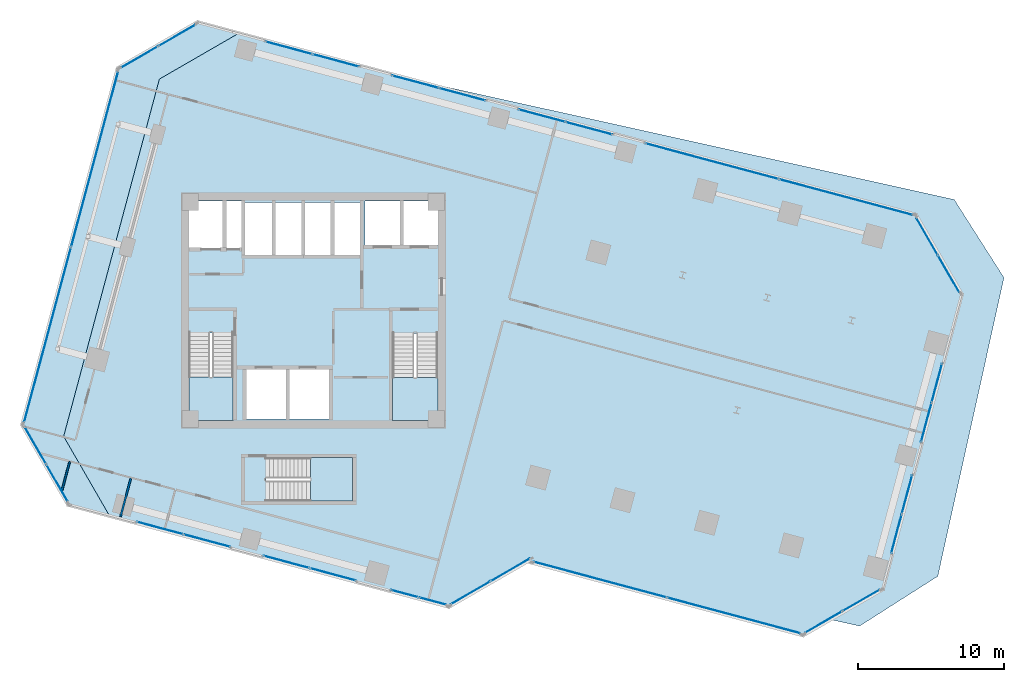
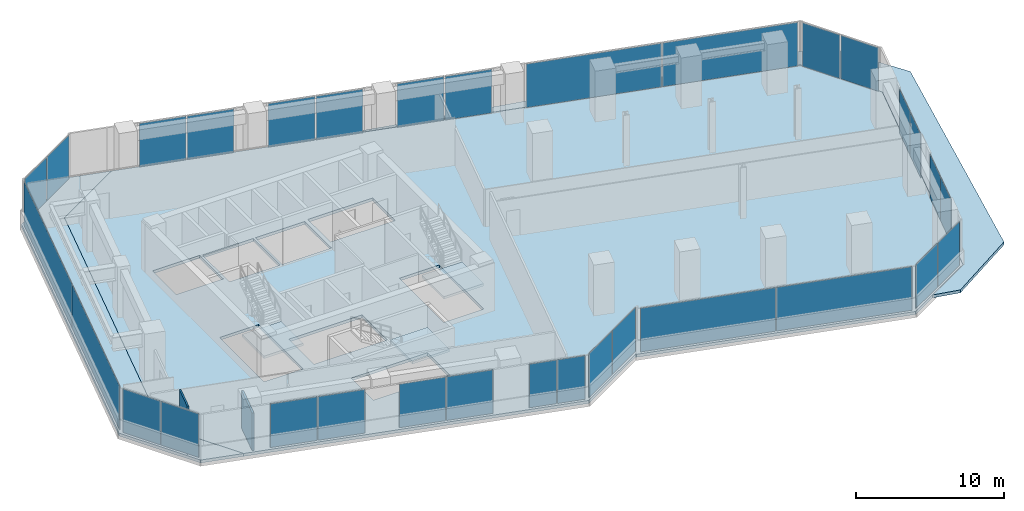
# One storey, part 19 of 26: 32 plates, 6 slabs, 2 walls, 19 elements without a shape of their own.
"""IFC4 building model written with IfcOpenShell, lengths in metres."""

from ifc_helpers import new_model, si_unit, direction, frame, frame_2d, origin, origin_2d, place, context, subcontext, project, spatial, polyline, rectangle, outline, extrude, source, transform, mapped, material, layer, layer_set, type_object, element, aggregate, save


model = new_model("IFC4")

# Units and contexts
model_context = context("Model", 3, precision=1e-05, world=origin(), true_north=direction((0.0, 1.0)))
body_context = subcontext(model_context, "Body", "Model", "MODEL_VIEW")
ifc_project = project(units=[si_unit("LENGTHUNIT", "METRE"), si_unit("AREAUNIT", "SQUARE_METRE"), si_unit("VOLUMEUNIT", "CUBIC_METRE"), si_unit("PLANEANGLEUNIT", "RADIAN"), si_unit("MASSUNIT", "GRAM", prefix="KILO")], contexts=[model_context])

# Site, building, storey
site_placement = place(None, origin())
site = spatial("IfcSite", under=ifc_project, at=site_placement, CompositionType="ELEMENT")
building_placement = place(site_placement, origin())
building = spatial("IfcBuilding", under=site, at=building_placement, Name="Torre Montelarca", CompositionType="ELEMENT")
storey_placement = place(building_placement, frame((0.0, 0.0, 100.0)))
storey = spatial("IfcBuildingStorey", under=building, at=storey_placement, Name="L22", CompositionType="ELEMENT", Elevation=100.0)

# Slabs
ifc_material_1 = material(Name="Concrete C40/50", Category="concrete")
ifc_layer_1 = layer(ifc_material_1, 0.239990234375, Name="Concrete C40/50", Category="concrete")
ifc_layer_set_1 = layer_set([ifc_layer_1], Name="Concrete C40/50")
slab_type_1 = type_object("IfcSlabType", Name="SL-FLR-240", PredefinedType="FLOOR", material=ifc_layer_set_1)
slab_1_placement = place(storey_placement, frame((0.0, 0.0, -0.239990234375)))
element("IfcSlab", 1, at=slab_1_placement, inside=storey, type_object=slab_type_1, Name="L22 Structural Floor Slab", PredefinedType="FLOOR", context=body_context, shape_type="SweptSolid", body=[
    extrude(outline(polyline([(27.318115234375, 11.59912109375), (32.829345703125, 14.781005859375), (32.8037109375, 14.684326171875), (51.63916015625, 9.637451171875), (57.150390625, 12.8193359375), (62.585693359375, 33.10400390625), (59.40380859375, 38.615234375), (12.942626953125, 51.064453125), (7.431396484375, 47.88232421875), (0.857421875, 23.347900390625), (4.039306640625, 17.836669921875), (27.318115234375, 11.59912109375)]), holes=[polyline([(20.699951171875, 18.89990234375), (14.760009765625, 18.89990234375), (14.760009765625, 21.889892578125), (20.699951171875, 21.889892578125), (20.699951171875, 18.89990234375)]), polyline([(19.10009765625, 24.550048828125), (13.39990234375, 24.550048828125), (13.39990234375, 27.949951171875), (19.10009765625, 27.949951171875), (19.10009765625, 24.550048828125)]), polyline([(23.43994140625, 24.449951171875), (23.43994140625, 30.429931640625), (26.550048828125, 30.429931640625), (26.550048828125, 24.449951171875), (23.43994140625, 24.449951171875)]), polyline([(9.449951171875, 24.449951171875), (9.449951171875, 30.4599609375), (12.5, 30.4599609375), (12.5, 24.449951171875), (9.449951171875, 24.449951171875)]), polyline([(17.25, 35.800048828125), (13.300048828125, 35.800048828125), (13.300048828125, 39.39990234375), (17.25, 39.39990234375), (17.25, 35.800048828125)]), polyline([(21.25, 35.800048828125), (17.39990234375, 35.800048828125), (17.39990234375, 39.39990234375), (21.25, 39.39990234375), (21.25, 35.800048828125)]), polyline([(13.1201171875, 36.300048828125), (9.449951171875, 36.300048828125), (9.449951171875, 39.5), (13.1201171875, 39.5), (13.1201171875, 36.300048828125)]), polyline([(26.60009765625, 36.449951171875), (21.550048828125, 36.449951171875), (21.550048828125, 39.5), (26.60009765625, 39.5), (26.60009765625, 36.449951171875)])]), origin(), (0.0, 0.0, 1.0), 0.239990234375),
])
slab_2_placement = place(storey_placement, frame((0.0, 0.0, -0.239990234375)))
element("IfcSlab", 2, at=slab_2_placement, inside=storey, type_object=slab_type_1, Name="L22 Sliding Tray Winter Garden Floor Slab W1", PredefinedType="FLOOR", context=body_context, shape_type="SweptSolid", body=[
    extrude(outline(polyline([(4.039306640625, 17.836669921875), (0.857421875, 23.347900390625), (7.431396484375, 47.88232421875), (12.942626953125, 51.064453125), (10.044921875, 51.8408203125), (4.533447265625, 48.658935546875), (-2.04052734375, 24.12451171875), (1.1416015625, 18.613037109375), (4.039306640625, 17.836669921875)])), origin(), (0.0, 0.0, 1.0), 0.239990234375),
])
ifc_material_2 = material(Name="Architectural concrete C40/50", Category="concrete")
ifc_layer_2 = layer(ifc_material_2, 0.239990234375, Name="Architectural concrete C40/50", Category="concrete")
ifc_layer_set_2 = layer_set([ifc_layer_2], Name="Architectural concrete C40/50")
slab_type_2 = type_object("IfcSlabType", Name="SL-ROOF-EXT-240", PredefinedType="ROOF", material=ifc_layer_set_2)
slab_3_placement = place(storey_placement, frame((0.0, 0.0, -0.239990234375)))
element("IfcSlab", 3, at=slab_3_placement, inside=storey, type_object=slab_type_2, Name="L21 Setback and Tray Overhang Roof Cap Slab 01", PredefinedType="ROOF", context=body_context, shape_type="SweptSolid", body=[
    extrude(outline(polyline([(59.408935546875, 38.6220703125), (62.59423828125, 33.10498046875), (57.157470703125, 12.814208984375), (53.58544921875, 10.751708984375), (55.514892578125, 10.32421875), (60.882080078125, 13.743408203125), (65.42724609375, 34.24560546875), (62.0078125, 39.61279296875), (25.53125, 47.69970703125), (59.408935546875, 38.6220703125)])), origin(), (0.0, 0.0, 1.0), 0.239990234375),
])

# Stair, slab
stair_type_1 = type_object("IfcStairType", Name="ST-CORE-ST1", PredefinedType="HALF_TURN_STAIR", material=ifc_material_1)
stair_1_placement = place(storey_placement, origin())
stair_1 = element("IfcStair", 4, at=stair_1_placement, inside=storey, type_object=stair_type_1, Name="L22 Protected Exit Stair ST1", PredefinedType="HALF_TURN_STAIR")
ifc_layer_3 = layer(ifc_material_1, 0.199951171875, Name="Concrete C40/50", Category="concrete")
ifc_layer_set_3 = layer_set([ifc_layer_3], Name="Concrete C40/50")
slab_type_3 = type_object("IfcSlabType", Name="SL-ST-LAND-ST1", PredefinedType="LANDING", material=ifc_layer_set_3)
slab_4_placement = place(storey_placement, frame((0.0, 0.0, 1.89990234375)))
slab_4 = element("IfcSlab", 5, at=slab_4_placement, type_object=slab_type_3, Name="ST1 landing 1", PredefinedType="LANDING", context=body_context, shape_type="SweptSolid", body=[
    extrude(outline(polyline([(9.449951171875, 27.419921875), (9.449951171875, 24.449951171875), (12.5, 24.449951171875), (12.5, 27.419921875), (9.449951171875, 27.419921875)])), origin(), (0.0, 0.0, 1.0), 0.2001953125),
])
aggregate(stair_1, [slab_4])

stair_type_2 = type_object("IfcStairType", Name="ST-CORE-ST2", PredefinedType="HALF_TURN_STAIR", material=ifc_material_1)
stair_2_placement = place(storey_placement, origin())
stair_2 = element("IfcStair", 6, at=stair_2_placement, inside=storey, type_object=stair_type_2, Name="L22 Protected Exit Stair ST2", PredefinedType="HALF_TURN_STAIR")
ifc_layer_4 = layer(ifc_material_1, 0.199951171875, Name="Concrete C40/50", Category="concrete")
ifc_layer_set_4 = layer_set([ifc_layer_4], Name="Concrete C40/50")
slab_type_4 = type_object("IfcSlabType", Name="SL-ST-LAND-ST2", PredefinedType="LANDING", material=ifc_layer_set_4)
slab_5_placement = place(storey_placement, frame((0.0, 0.0, 1.89990234375)))
slab_5 = element("IfcSlab", 7, at=slab_5_placement, type_object=slab_type_4, Name="ST2 landing 1", PredefinedType="LANDING", context=body_context, shape_type="SweptSolid", body=[
    extrude(outline(polyline([(23.43994140625, 27.389892578125), (23.43994140625, 24.449951171875), (26.550048828125, 24.449951171875), (26.550048828125, 27.389892578125), (23.43994140625, 27.389892578125)])), origin(), (0.0, 0.0, 1.0), 0.2001953125),
])
aggregate(stair_2, [slab_5])

stair_type_3 = type_object("IfcStairType", Name="ST-CORE-ST3", PredefinedType="HALF_TURN_STAIR", material=ifc_material_1)
stair_3_placement = place(storey_placement, origin())
stair_3 = element("IfcStair", 8, at=stair_3_placement, inside=storey, type_object=stair_type_3, Name="L22 Low-Rise Exit Stair ST3", PredefinedType="HALF_TURN_STAIR")
ifc_layer_5 = layer(ifc_material_1, 0.199951171875, Name="Concrete C40/50", Category="concrete")
ifc_layer_set_5 = layer_set([ifc_layer_5], Name="Concrete C40/50")
slab_type_5 = type_object("IfcSlabType", Name="SL-ST-LAND-ST3", PredefinedType="LANDING", material=ifc_layer_set_5)
slab_6_placement = place(storey_placement, frame((0.0, 0.0, 1.89990234375)))
slab_6 = element("IfcSlab", 9, at=slab_6_placement, type_object=slab_type_5, Name="ST3 landing 1", PredefinedType="LANDING", context=body_context, shape_type="SweptSolid", body=[
    extrude(outline(polyline([(17.800048828125, 18.89990234375), (20.699951171875, 18.89990234375), (20.699951171875, 21.889892578125), (17.800048828125, 21.889892578125), (17.800048828125, 18.89990234375)])), origin(), (0.0, 0.0, 1.0), 0.2001953125),
])
aggregate(stair_3, [slab_6])

# Curtain wall, plates
ifc_material_3 = material(Name="Insulated low-E laminated glass", Category="glass")
curtain_wall_type = type_object("IfcCurtainWallType", Name="CW-SYS-Z1", PredefinedType="USERDEFINED", material=ifc_material_3)
curtain_wall_1_placement = place(storey_placement, origin())
curtain_wall_1 = element("IfcCurtainWall", 10, at=curtain_wall_1_placement, inside=storey, type_object=curtain_wall_type, Name="L22 Curtain Wall Run CW-T3-L22-E02-B1", ObjectType="UNITISED GLAZING", PredefinedType="USERDEFINED")
ifc_layer_6 = layer(ifc_material_3, 0.028076171875, Name="Insulated low-E laminated glass", Category="glass")
ifc_layer_set_6 = layer_set([ifc_layer_6], Name="Insulated low-E laminated glass")
plate_type = type_object("IfcPlateType", Name="CWP-GLZ-28", PredefinedType="CURTAIN_PANEL", material=ifc_layer_set_6)
shared_shape_1 = source(origin(), body_context, "Body", "SweptSolid", [
    extrude(rectangle(XDim=3.102294921875, YDim=0.028076171875, at=origin_2d()), origin(), (0.0, 0.0, 1.0), 3.590087890625),
])
plate_1_placement = place(storey_placement, frame((28.79638671875, 12.6025390625, 0.06494140625), z_axis=(0.0, 0.0, 1.0), x_axis=(0.86602477194, 0.500001094386, 0.0)))
plate_1 = element("IfcPlate", 11, at=plate_1_placement, type_object=plate_type, Name="CW panel 1.1", PredefinedType="CURTAIN_PANEL", context=body_context, shape_type="MappedRepresentation", body=[
    mapped(shared_shape_1, transform((0.0, 0.0, 0.0), scale=1.0)),
])
plate_2_placement = place(storey_placement, frame((31.539306640625, 14.186279296875, 0.06494140625), z_axis=(0.0, 0.0, 1.0), x_axis=(0.86602477194, 0.500001094386, 0.0)))
plate_2 = element("IfcPlate", 12, at=plate_2_placement, type_object=plate_type, Name="CW panel 2.1", PredefinedType="CURTAIN_PANEL", context=body_context, shape_type="MappedRepresentation", body=[
    mapped(shared_shape_1, transform((0.0, 0.0, 0.0), scale=1.0)),
])
aggregate(curtain_wall_1, [plate_1, plate_2])

curtain_wall_2_placement = place(storey_placement, origin())
curtain_wall_2 = element("IfcCurtainWall", 13, at=curtain_wall_2_placement, inside=storey, type_object=curtain_wall_type, Name="L22 Curtain Wall Run CW-T3-L22-E05-B1", ObjectType="UNITISED GLAZING", PredefinedType="USERDEFINED")
shared_shape_2 = source(origin(), body_context, "Body", "SweptSolid", [
    extrude(rectangle(XDim=2.918701171875, YDim=0.028076171875, at=origin_2d()), origin(), (0.0, 0.0, 1.0), 3.590087890625),
])
plate_3_placement = place(storey_placement, frame((53.037841796875, 10.594970703125, 0.06494140625), z_axis=(0.0, 0.0, 1.0), x_axis=(0.866024921148, 0.50000083595, 0.0)))
plate_3 = element("IfcPlate", 14, at=plate_3_placement, type_object=plate_type, Name="CW panel 1.1", PredefinedType="CURTAIN_PANEL", context=body_context, shape_type="MappedRepresentation", body=[
    mapped(shared_shape_2, transform((0.0, 0.0, 0.0), scale=1.0)),
])
plate_4_placement = place(storey_placement, frame((55.621826171875, 12.0869140625, 0.06494140625), z_axis=(0.0, 0.0, 1.0), x_axis=(0.866024921148, 0.50000083595, 0.0)))
plate_4 = element("IfcPlate", 15, at=plate_4_placement, type_object=plate_type, Name="CW panel 2.1", PredefinedType="CURTAIN_PANEL", context=body_context, shape_type="MappedRepresentation", body=[
    mapped(shared_shape_2, transform((0.0, 0.0, 0.0), scale=1.0)),
])
aggregate(curtain_wall_2, [plate_3, plate_4])

curtain_wall_3_placement = place(storey_placement, origin())
curtain_wall_3 = element("IfcCurtainWall", 16, at=curtain_wall_3_placement, inside=storey, type_object=curtain_wall_type, Name="L22 Curtain Wall Run CW-T3-L22-E07-B1", ObjectType="UNITISED GLAZING", PredefinedType="USERDEFINED")
plate_5_placement = place(storey_placement, frame((61.6279296875, 34.502685546875, 0.06494140625), z_axis=(0.0, 0.0, 1.0), x_axis=(-0.500008014176, 0.866020776749, 0.0)))
plate_5 = element("IfcPlate", 17, at=plate_5_placement, type_object=plate_type, Name="CW panel 1.1", PredefinedType="CURTAIN_PANEL", context=body_context, shape_type="MappedRepresentation", body=[
    mapped(shared_shape_2, transform((0.0, 0.0, 0.0), scale=1.0)),
])
plate_6_placement = place(storey_placement, frame((60.13623046875, 37.08642578125, 0.06494140625), z_axis=(0.0, 0.0, 1.0), x_axis=(-0.500008014176, 0.866020776749, 0.0)))
plate_6 = element("IfcPlate", 18, at=plate_6_placement, type_object=plate_type, Name="CW panel 2.1", PredefinedType="CURTAIN_PANEL", context=body_context, shape_type="MappedRepresentation", body=[
    mapped(shared_shape_2, transform((0.0, 0.0, 0.0), scale=1.0)),
])
aggregate(curtain_wall_3, [plate_5, plate_6])

curtain_wall_4_placement = place(storey_placement, origin())
curtain_wall_4 = element("IfcCurtainWall", 19, at=curtain_wall_4_placement, inside=storey, type_object=curtain_wall_type, Name="L22 Curtain Wall Run CW-T3-L22-E09-B1", ObjectType="UNITISED GLAZING", PredefinedType="USERDEFINED")
plate_7_placement = place(storey_placement, frame((8.646240234375, 50.88330078125, 0.06494140625), z_axis=(0.0, 0.0, 1.0), x_axis=(-0.866024921148, -0.50000083595, 0.0)))
plate_7 = element("IfcPlate", 20, at=plate_7_placement, type_object=plate_type, Name="CW panel 1.1", PredefinedType="CURTAIN_PANEL", context=body_context, shape_type="MappedRepresentation", body=[
    mapped(shared_shape_2, transform((0.0, 0.0, 0.0), scale=1.0)),
])
plate_8_placement = place(storey_placement, frame((6.062255859375, 49.391357421875, 0.06494140625), z_axis=(0.0, 0.0, 1.0), x_axis=(-0.866024921148, -0.50000083595, 0.0)))
plate_8 = element("IfcPlate", 21, at=plate_8_placement, type_object=plate_type, Name="CW panel 2.1", PredefinedType="CURTAIN_PANEL", context=body_context, shape_type="MappedRepresentation", body=[
    mapped(shared_shape_2, transform((0.0, 0.0, 0.0), scale=1.0)),
])
aggregate(curtain_wall_4, [plate_7, plate_8])

curtain_wall_5_placement = place(storey_placement, origin())
curtain_wall_5 = element("IfcCurtainWall", 22, at=curtain_wall_5_placement, inside=storey, type_object=curtain_wall_type, Name="L22 Curtain Wall Run CW-T3-L22-E11-B1", ObjectType="UNITISED GLAZING", PredefinedType="USERDEFINED")
plate_9_placement = place(storey_placement, frame((-1.082763671875, 22.7255859375, 0.06494140625), z_axis=(0.0, 0.0, 1.0), x_axis=(0.50000083595, -0.866024921148, 0.0)))
plate_9 = element("IfcPlate", 23, at=plate_9_placement, type_object=plate_type, Name="CW panel 1.1", PredefinedType="CURTAIN_PANEL", context=body_context, shape_type="MappedRepresentation", body=[
    mapped(shared_shape_2, transform((0.0, 0.0, 0.0), scale=1.0)),
])
plate_10_placement = place(storey_placement, frame((0.408935546875, 20.1416015625, 0.06494140625), z_axis=(0.0, 0.0, 1.0), x_axis=(0.50000083595, -0.866024921148, 0.0)))
plate_10 = element("IfcPlate", 24, at=plate_10_placement, type_object=plate_type, Name="CW panel 2.1", PredefinedType="CURTAIN_PANEL", context=body_context, shape_type="MappedRepresentation", body=[
    mapped(shared_shape_2, transform((0.0, 0.0, 0.0), scale=1.0)),
])
aggregate(curtain_wall_5, [plate_9, plate_10])

curtain_wall_6_placement = place(storey_placement, origin())
curtain_wall_6 = element("IfcCurtainWall", 25, at=curtain_wall_6_placement, inside=storey, type_object=curtain_wall_type, Name="L22 Curtain Wall Run CW-T3-L22-E01-B1", ObjectType="UNITISED GLAZING", PredefinedType="USERDEFINED")
shared_shape_3 = source(origin(), body_context, "Body", "SweptSolid", [
    extrude(rectangle(XDim=3.2724609375, YDim=0.028076171875, at=origin_2d()), origin(), (0.0, 0.0, 1.0), 3.590087890625),
])
plate_11_placement = place(storey_placement, frame((7.48388671875, 17.048095703125, 0.06494140625), z_axis=(0.0, 0.0, 1.0), x_axis=(0.96592420991, -0.258825077437, 0.0)))
plate_11 = element("IfcPlate", 26, at=plate_11_placement, type_object=plate_type, Name="CW panel 1.1", PredefinedType="CURTAIN_PANEL", context=body_context, shape_type="MappedRepresentation", body=[
    mapped(shared_shape_3, transform((0.0, 0.0, 0.0), scale=1.0)),
])
plate_12_placement = place(storey_placement, frame((10.70751953125, 16.184326171875, 0.06494140625), z_axis=(0.0, 0.0, 1.0), x_axis=(0.96592420991, -0.258825077437, 0.0)))
plate_12 = element("IfcPlate", 27, at=plate_12_placement, type_object=plate_type, Name="CW panel 2.1", PredefinedType="CURTAIN_PANEL", context=body_context, shape_type="MappedRepresentation", body=[
    mapped(shared_shape_3, transform((0.0, 0.0, 0.0), scale=1.0)),
])
aggregate(curtain_wall_6, [plate_11, plate_12])

curtain_wall_7_placement = place(storey_placement, origin())
curtain_wall_7 = element("IfcCurtainWall", 28, at=curtain_wall_7_placement, inside=storey, type_object=curtain_wall_type, Name="L22 Curtain Wall Run CW-T3-L22-E08-B2", ObjectType="UNITISED GLAZING", PredefinedType="USERDEFINED")
plate_13_placement = place(storey_placement, frame((36.930419921875, 44.50244140625, 0.06494140625), z_axis=(0.0, 0.0, 1.0), x_axis=(-0.965926925231, 0.25881494376, 0.0)))
plate_13 = element("IfcPlate", 29, at=plate_13_placement, type_object=plate_type, Name="CW panel 1.1", PredefinedType="CURTAIN_PANEL", context=body_context, shape_type="MappedRepresentation", body=[
    mapped(shared_shape_3, transform((0.0, 0.0, 0.0), scale=1.0)),
])
plate_14_placement = place(storey_placement, frame((33.70654296875, 45.3662109375, 0.06494140625), z_axis=(0.0, 0.0, 1.0), x_axis=(-0.965926925231, 0.25881494376, 0.0)))
plate_14 = element("IfcPlate", 30, at=plate_14_placement, type_object=plate_type, Name="CW panel 2.1", PredefinedType="CURTAIN_PANEL", context=body_context, shape_type="MappedRepresentation", body=[
    mapped(shared_shape_3, transform((0.0, 0.0, 0.0), scale=1.0)),
])
aggregate(curtain_wall_7, [plate_13, plate_14])

curtain_wall_8_placement = place(storey_placement, origin())
curtain_wall_8 = element("IfcCurtainWall", 31, at=curtain_wall_8_placement, inside=storey, type_object=curtain_wall_type, Name="L22 Curtain Wall Run CW-T3-L22-E08-B3", ObjectType="UNITISED GLAZING", PredefinedType="USERDEFINED")
plate_15_placement = place(storey_placement, frame((28.237060546875, 46.831787109375, 0.06494140625), z_axis=(0.0, 0.0, 1.0), x_axis=(-0.965923215973, 0.258828786739, 0.0)))
plate_15 = element("IfcPlate", 32, at=plate_15_placement, type_object=plate_type, Name="CW panel 1.1", PredefinedType="CURTAIN_PANEL", context=body_context, shape_type="MappedRepresentation", body=[
    mapped(shared_shape_3, transform((0.0, 0.0, 0.0), scale=1.0)),
])
plate_16_placement = place(storey_placement, frame((25.01318359375, 47.695556640625, 0.06494140625), z_axis=(0.0, 0.0, 1.0), x_axis=(-0.965923215973, 0.258828786739, 0.0)))
plate_16 = element("IfcPlate", 33, at=plate_16_placement, type_object=plate_type, Name="CW panel 2.1", PredefinedType="CURTAIN_PANEL", context=body_context, shape_type="MappedRepresentation", body=[
    mapped(shared_shape_3, transform((0.0, 0.0, 0.0), scale=1.0)),
])
aggregate(curtain_wall_8, [plate_15, plate_16])

curtain_wall_9_placement = place(storey_placement, origin())
curtain_wall_9 = element("IfcCurtainWall", 34, at=curtain_wall_9_placement, inside=storey, type_object=curtain_wall_type, Name="L22 Curtain Wall Run CW-T3-L22-E08-B4", ObjectType="UNITISED GLAZING", PredefinedType="USERDEFINED")
plate_17_placement = place(storey_placement, frame((19.543701171875, 49.1611328125, 0.06494140625), z_axis=(0.0, 0.0, 1.0), x_axis=(-0.96592420991, 0.258825077437, 0.0)))
plate_17 = element("IfcPlate", 35, at=plate_17_placement, type_object=plate_type, Name="CW panel 1.1", PredefinedType="CURTAIN_PANEL", context=body_context, shape_type="MappedRepresentation", body=[
    mapped(shared_shape_3, transform((0.0, 0.0, 0.0), scale=1.0)),
])
plate_18_placement = place(storey_placement, frame((16.31982421875, 50.02490234375, 0.06494140625), z_axis=(0.0, 0.0, 1.0), x_axis=(-0.96592420991, 0.258825077437, 0.0)))
plate_18 = element("IfcPlate", 36, at=plate_18_placement, type_object=plate_type, Name="CW panel 2.1", PredefinedType="CURTAIN_PANEL", context=body_context, shape_type="MappedRepresentation", body=[
    mapped(shared_shape_3, transform((0.0, 0.0, 0.0), scale=1.0)),
])
aggregate(curtain_wall_9, [plate_17, plate_18])

curtain_wall_10_placement = place(storey_placement, origin())
curtain_wall_10 = element("IfcCurtainWall", 37, at=curtain_wall_10_placement, inside=storey, type_object=curtain_wall_type, Name="L22 Curtain Wall Run CW-T3-L22-E01-B3", ObjectType="UNITISED GLAZING", PredefinedType="USERDEFINED")
shared_shape_4 = source(origin(), body_context, "Body", "SweptSolid", [
    extrude(rectangle(XDim=1.9169921875, YDim=0.028076171875, at=origin_2d()), origin(), (0.0, 0.0, 1.0), 3.590087890625),
])
plate_19_placement = place(storey_placement, frame((24.288330078125, 12.54541015625, 0.06494140625), z_axis=(0.0, 0.0, 1.0), x_axis=(0.965926115875, -0.258817964349, 0.0)))
plate_19 = element("IfcPlate", 38, at=plate_19_placement, type_object=plate_type, Name="CW panel 1.1", PredefinedType="CURTAIN_PANEL", context=body_context, shape_type="MappedRepresentation", body=[
    mapped(shared_shape_4, transform((0.0, 0.0, 0.0), scale=1.0)),
])
plate_20_placement = place(storey_placement, frame((26.202880859375, 12.032470703125, 0.06494140625), z_axis=(0.0, 0.0, 1.0), x_axis=(0.965926115875, -0.258817964349, 0.0)))
plate_20 = element("IfcPlate", 39, at=plate_20_placement, type_object=plate_type, Name="CW panel 2.1", PredefinedType="CURTAIN_PANEL", context=body_context, shape_type="MappedRepresentation", body=[
    mapped(shared_shape_4, transform((0.0, 0.0, 0.0), scale=1.0)),
])
aggregate(curtain_wall_10, [plate_19, plate_20])

curtain_wall_11_placement = place(storey_placement, origin())
curtain_wall_11 = element("IfcCurtainWall", 40, at=curtain_wall_11_placement, inside=storey, type_object=curtain_wall_type, Name="L22 Curtain Wall Run CW-T3-L22-E04-B1", ObjectType="UNITISED GLAZING", PredefinedType="USERDEFINED")
shared_shape_5 = source(origin(), body_context, "Body", "SweptSolid", [
    extrude(rectangle(XDim=9.448486328125, YDim=0.028076171875, at=origin_2d()), origin(), (0.0, 0.0, 1.0), 3.590087890625),
])
plate_21_placement = place(storey_placement, frame((37.697021484375, 13.5078125, 0.06494140625), z_axis=(0.0, 0.0, 1.0), x_axis=(0.965924671712, -0.258823354003, 0.0)))
plate_21 = element("IfcPlate", 41, at=plate_21_placement, type_object=plate_type, Name="CW panel 1.1", PredefinedType="CURTAIN_PANEL", context=body_context, shape_type="MappedRepresentation", body=[
    mapped(shared_shape_5, transform((0.0, 0.0, 0.0), scale=1.0)),
])
plate_22_placement = place(storey_placement, frame((46.886474609375, 11.04541015625, 0.06494140625), z_axis=(0.0, 0.0, 1.0), x_axis=(0.965924671712, -0.258823354003, 0.0)))
plate_22 = element("IfcPlate", 42, at=plate_22_placement, type_object=plate_type, Name="CW panel 2.1", PredefinedType="CURTAIN_PANEL", context=body_context, shape_type="MappedRepresentation", body=[
    mapped(shared_shape_5, transform((0.0, 0.0, 0.0), scale=1.0)),
])
aggregate(curtain_wall_11, [plate_21, plate_22])

curtain_wall_12_placement = place(storey_placement, origin())
curtain_wall_12 = element("IfcCurtainWall", 43, at=curtain_wall_12_placement, inside=storey, type_object=curtain_wall_type, Name="L22 Curtain Wall Run CW-T3-L22-E06-B1", ObjectType="UNITISED GLAZING", PredefinedType="USERDEFINED")
shared_shape_6 = source(origin(), body_context, "Body", "SweptSolid", [
    extrude(rectangle(XDim=2.735107421875, YDim=0.028076171875, at=origin_2d()), origin(), (0.0, 0.0, 1.0), 3.590087890625),
])
plate_23_placement = place(storey_placement, frame((58.0439453125, 16.656494140625, 0.06494140625), z_axis=(0.0, 0.0, 1.0), x_axis=(0.258816083688, 0.965926619793, 0.0)))
plate_23 = element("IfcPlate", 44, at=plate_23_placement, type_object=plate_type, Name="CW panel 1.1", PredefinedType="CURTAIN_PANEL", context=body_context, shape_type="MappedRepresentation", body=[
    mapped(shared_shape_6, transform((0.0, 0.0, 0.0), scale=1.0)),
])
plate_24_placement = place(storey_placement, frame((58.768798828125, 19.361083984375, 0.06494140625), z_axis=(0.0, 0.0, 1.0), x_axis=(0.258816083688, 0.965926619793, 0.0)))
plate_24 = element("IfcPlate", 45, at=plate_24_placement, type_object=plate_type, Name="CW panel 2.1", PredefinedType="CURTAIN_PANEL", context=body_context, shape_type="MappedRepresentation", body=[
    mapped(shared_shape_6, transform((0.0, 0.0, 0.0), scale=1.0)),
])
aggregate(curtain_wall_12, [plate_23, plate_24])

curtain_wall_13_placement = place(storey_placement, origin())
curtain_wall_13 = element("IfcCurtainWall", 46, at=curtain_wall_13_placement, inside=storey, type_object=curtain_wall_type, Name="L22 Curtain Wall Run CW-T3-L22-E06-B2", ObjectType="UNITISED GLAZING", PredefinedType="USERDEFINED")
plate_25_placement = place(storey_placement, frame((60.09521484375, 24.311279296875, 0.06494140625), z_axis=(0.0, 0.0, 1.0), x_axis=(0.258816083688, 0.965926619793, 0.0)))
plate_25 = element("IfcPlate", 47, at=plate_25_placement, type_object=plate_type, Name="CW panel 1.1", PredefinedType="CURTAIN_PANEL", context=body_context, shape_type="MappedRepresentation", body=[
    mapped(shared_shape_6, transform((0.0, 0.0, 0.0), scale=1.0)),
])
plate_26_placement = place(storey_placement, frame((60.81982421875, 27.01611328125, 0.06494140625), z_axis=(0.0, 0.0, 1.0), x_axis=(0.258816083688, 0.965926619793, 0.0)))
plate_26 = element("IfcPlate", 48, at=plate_26_placement, type_object=plate_type, Name="CW panel 2.1", PredefinedType="CURTAIN_PANEL", context=body_context, shape_type="MappedRepresentation", body=[
    mapped(shared_shape_6, transform((0.0, 0.0, 0.0), scale=1.0)),
])
aggregate(curtain_wall_13, [plate_25, plate_26])

curtain_wall_14_placement = place(storey_placement, origin())
curtain_wall_14 = element("IfcCurtainWall", 49, at=curtain_wall_14_placement, inside=storey, type_object=curtain_wall_type, Name="L22 Curtain Wall Run CW-T3-L22-E08-B1", ObjectType="UNITISED GLAZING", PredefinedType="USERDEFINED")
shared_shape_7 = source(origin(), body_context, "Body", "SweptSolid", [
    extrude(rectangle(XDim=9.45458984375, YDim=0.028076171875, at=origin_2d()), origin(), (0.0, 0.0, 1.0), 3.590087890625),
])
plate_27_placement = place(storey_placement, frame((54.580810546875, 39.77294921875, 0.06494140625), z_axis=(0.0, 0.0, 1.0), x_axis=(-0.965926088506, 0.258818066495, 0.0)))
plate_27 = element("IfcPlate", 50, at=plate_27_placement, type_object=plate_type, Name="CW panel 1.1", PredefinedType="CURTAIN_PANEL", context=body_context, shape_type="MappedRepresentation", body=[
    mapped(shared_shape_7, transform((0.0, 0.0, 0.0), scale=1.0)),
])
plate_28_placement = place(storey_placement, frame((45.385498046875, 42.23681640625, 0.06494140625), z_axis=(0.0, 0.0, 1.0), x_axis=(-0.965926088506, 0.258818066495, 0.0)))
plate_28 = element("IfcPlate", 51, at=plate_28_placement, type_object=plate_type, Name="CW panel 2.1", PredefinedType="CURTAIN_PANEL", context=body_context, shape_type="MappedRepresentation", body=[
    mapped(shared_shape_7, transform((0.0, 0.0, 0.0), scale=1.0)),
])
aggregate(curtain_wall_14, [plate_27, plate_28])

curtain_wall_15_placement = place(storey_placement, origin())
curtain_wall_15 = element("IfcCurtainWall", 52, at=curtain_wall_15_placement, inside=storey, type_object=curtain_wall_type, Name="L22 Curtain Wall Run CW-T3-L22-E10-B1", ObjectType="UNITISED GLAZING", PredefinedType="USERDEFINED")
shared_shape_8 = source(origin(), body_context, "Body", "SweptSolid", [
    extrude(rectangle(XDim=12.4365234375, YDim=0.028076171875, at=origin_2d()), origin(), (0.0, 0.0, 1.0), 3.590087890625),
])
plate_29_placement = place(storey_placement, frame((2.989990234375, 42.395751953125, 0.06494140625), z_axis=(0.0, 0.0, 1.0), x_axis=(-0.258818235755, -0.965926043153, 0.0)))
plate_29 = element("IfcPlate", 53, at=plate_29_placement, type_object=plate_type, Name="CW panel 1.1", PredefinedType="CURTAIN_PANEL", context=body_context, shape_type="MappedRepresentation", body=[
    mapped(shared_shape_8, transform((0.0, 0.0, 0.0), scale=1.0)),
])
plate_30_placement = place(storey_placement, frame((-0.245849609375, 30.3203125, 0.06494140625), z_axis=(0.0, 0.0, 1.0), x_axis=(-0.258818235755, -0.965926043153, 0.0)))
plate_30 = element("IfcPlate", 54, at=plate_30_placement, type_object=plate_type, Name="CW panel 2.1", PredefinedType="CURTAIN_PANEL", context=body_context, shape_type="MappedRepresentation", body=[
    mapped(shared_shape_8, transform((0.0, 0.0, 0.0), scale=1.0)),
])
aggregate(curtain_wall_15, [plate_29, plate_30])

curtain_wall_16_placement = place(storey_placement, origin())
curtain_wall_16 = element("IfcCurtainWall", 55, at=curtain_wall_16_placement, inside=storey, type_object=curtain_wall_type, Name="L22 Curtain Wall Run CW-T3-L22-E01-B2", ObjectType="UNITISED GLAZING", PredefinedType="USERDEFINED")
shared_shape_9 = source(origin(), body_context, "Body", "SweptSolid", [
    extrude(rectangle(XDim=3.235107421875, YDim=0.028076171875, at=origin_2d()), origin(), (0.0, 0.0, 1.0), 3.590087890625),
])
plate_31_placement = place(storey_placement, frame((16.1591796875, 14.7236328125, 0.06494140625), z_axis=(0.0, 0.0, 1.0), x_axis=(0.965926955537, -0.258814830656, 0.0)))
plate_31 = element("IfcPlate", 56, at=plate_31_placement, type_object=plate_type, Name="CW panel 1.1", PredefinedType="CURTAIN_PANEL", context=body_context, shape_type="MappedRepresentation", body=[
    mapped(shared_shape_9, transform((0.0, 0.0, 0.0), scale=1.0)),
])
plate_32_placement = place(storey_placement, frame((19.3466796875, 13.86962890625, 0.06494140625), z_axis=(0.0, 0.0, 1.0), x_axis=(0.965926955537, -0.258814830656, 0.0)))
plate_32 = element("IfcPlate", 57, at=plate_32_placement, type_object=plate_type, Name="CW panel 2.1", PredefinedType="CURTAIN_PANEL", context=body_context, shape_type="MappedRepresentation", body=[
    mapped(shared_shape_9, transform((0.0, 0.0, 0.0), scale=1.0)),
])
aggregate(curtain_wall_16, [plate_31, plate_32])

# Walls
ifc_material_4 = material(Name="Gypsum plasterboard on steel stud", Category="steel")
ifc_layer_7 = layer(ifc_material_4, 0.114990234375, Name="Gypsum plasterboard on steel stud", Category="steel")
ifc_layer_set_7 = layer_set([ifc_layer_7], Name="Gypsum plasterboard on steel stud")
wall_type_1 = type_object("IfcWallType", Name="PW-PART-115", PredefinedType="PARTITIONING", material=ifc_layer_set_7)
wall_1_placement = place(storey_placement, frame((0.743408203125, 19.638916015625, 0.0), z_axis=(0.0, 0.0, 1.0), x_axis=(0.258784127083, 0.965935181868, 0.0)))
element("IfcWall", 58, at=wall_1_placement, inside=storey, type_object=wall_type_1, Name="L22 Interior Partition W-L22-WCW", PredefinedType="PARTITIONING", context=body_context, shape_type="SweptSolid", body=[
    extrude(rectangle(XDim=2.0322265625, YDim=0.114990234375, at=frame_2d((1.01611328125, 0.0))), origin(), (0.0, 0.0, 1.0), 3.9599609375),
])
ifc_layer_8 = layer(ifc_material_4, 0.135009765625, Name="Gypsum plasterboard on steel stud", Category="steel")
ifc_layer_set_8 = layer_set([ifc_layer_8], Name="Gypsum plasterboard on steel stud")
wall_type_2 = type_object("IfcWallType", Name="PW-PART-135", PredefinedType="PARTITIONING", material=ifc_layer_set_8)
wall_2_placement = place(storey_placement, frame((4.76220703125, 17.8291015625, 0.0), z_axis=(0.0, 0.0, 1.0), x_axis=(0.25874944638, 0.965944472523, 0.0)))
element("IfcWall", 59, at=wall_2_placement, inside=storey, type_object=wall_type_2, Name="L22 Interior Partition W-L22-WCD", PredefinedType="PARTITIONING", context=body_context, shape_type="SweptSolid", body=[
    extrude(rectangle(XDim=2.739990234375, YDim=0.135009765625, at=frame_2d((1.3701171875, 0.0))), origin(), (0.0, 0.0, 1.0), 3.094970703125),
])

save(model, "model.ifc")
